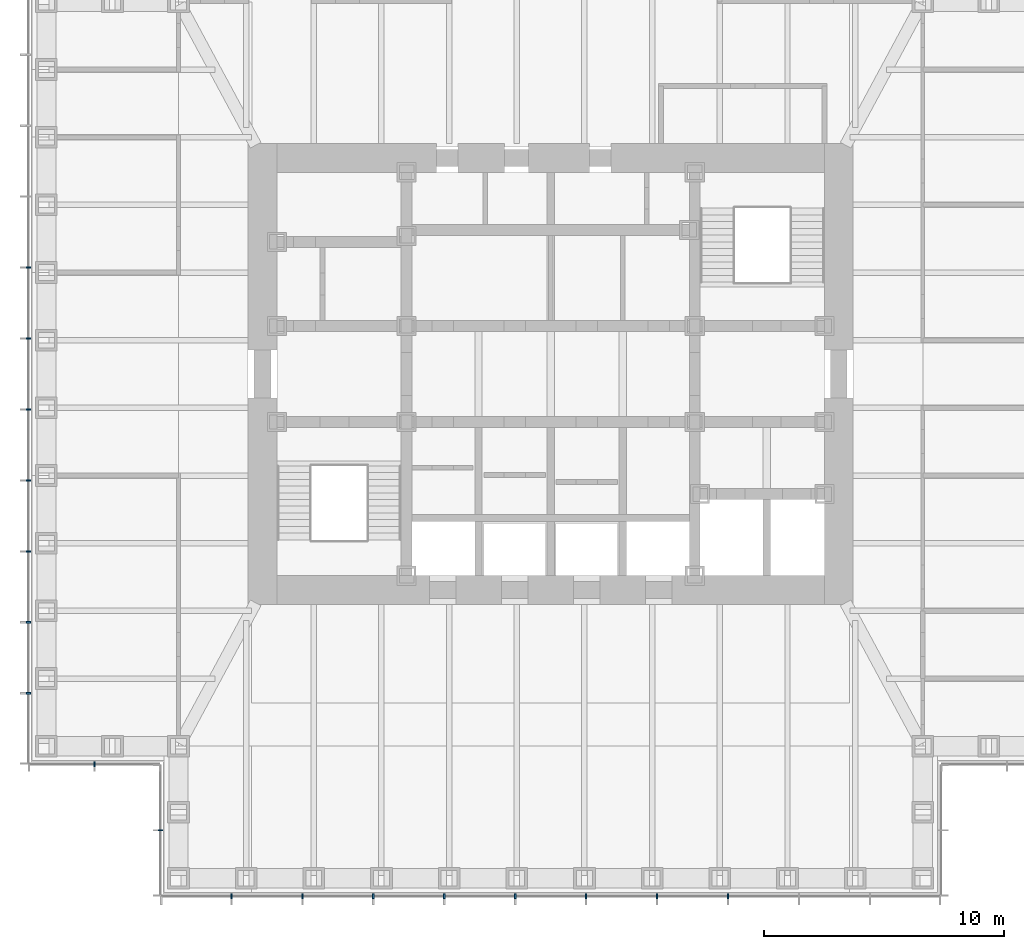
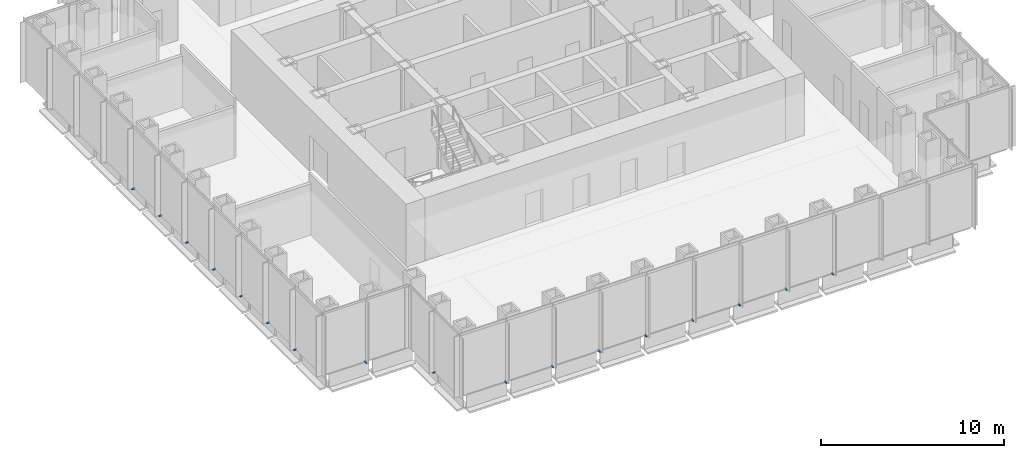
# One storey, part 11 of 16: 17 discrete accessories.
"""IFC4 building model written with IfcOpenShell, lengths in metres."""

import ifcopenshell
import ifcopenshell.guid

model = None  # the IFC model being written
_history = None  # IfcOwnerHistory: only IFC2X3 demands one
_inside = {}  # id of a spatial element -> (the spatial element, [elements in it])
_under = {}  # id of a project, library or spatial element -> (it, [spatial elements below it])
_declared = {}  # id of a project -> (the project, [libraries it declares])
_typed = {}  # id of a type object -> (the type object, [elements of that type])
_made_of = {}  # id of a material, layer set ... -> (it, [elements and type objects made of it])


def new_model(schema):
    """Start an empty IFC model of exactly this schema.

    Asked for "IFC4X3", IfcOpenShell would pick the latest addendum, in which some entities
    have other attributes; the version numbers below select the first issue.
    IFC2X3 requires an IfcOwnerHistory on every rooted entity: one is made here for all.
    """
    global model, _history
    if schema == "IFC4X3":
        model = ifcopenshell.file(schema_version=(4, 3, 0, 0))
    else:
        model = ifcopenshell.file(schema=schema)
    _inside.clear()
    _under.clear()
    _declared.clear()
    _typed.clear()
    _made_of.clear()
    _history = None
    if model.schema == "IFC2X3":
        org = make("IfcOrganization", Name="unknown")
        user = make(
            "IfcPersonAndOrganization",
            ThePerson=make("IfcPerson", FamilyName="unknown"),
            TheOrganization=org,
        )
        app = make(
            "IfcApplication",
            ApplicationDeveloper=org,
            Version="unknown",
            ApplicationFullName="unknown",
            ApplicationIdentifier="unknown",
        )
        _history = make(
            "IfcOwnerHistory",
            OwningUser=user,
            OwningApplication=app,
            ChangeAction="ADDED",
            CreationDate=0,
        )
    return model


def make(cls, **values):
    """One entity of the class cls with the attributes given. An attribute that is None is left unset."""
    return model.create_entity(
        cls, **{name: value for name, value in values.items() if value is not None}
    )


def rooted(cls, **values):
    """An entity with a GlobalId (a new one), such as an element, a storey or a relation."""
    return make(cls, GlobalId=ifcopenshell.guid.new(), OwnerHistory=_history, **values)


def si_unit(unit_type, name, prefix=None):
    """IfcSIUnit, for example si_unit("LENGTHUNIT", "METRE", prefix="MILLI")."""
    return make("IfcSIUnit", UnitType=unit_type, Prefix=prefix, Name=name)


def assignment(units):
    """IfcUnitAssignment: the units of a project."""
    return None if units is None else make("IfcUnitAssignment", Units=units)


def point(xyz):
    """IfcCartesianPoint."""
    return None if xyz is None else make("IfcCartesianPoint", Coordinates=xyz)


def direction(xyz):
    """IfcDirection."""
    return None if xyz is None else make("IfcDirection", DirectionRatios=xyz)


def frame(location, z_axis=None, x_axis=None):
    """IfcAxis2Placement3D, a coordinate frame: its origin and axes. An axis left out is left unset."""
    return make(
        "IfcAxis2Placement3D",
        Location=point(location),
        Axis=direction(z_axis),
        RefDirection=direction(x_axis),
    )


def frame_2d(location, x_axis=None):
    """IfcAxis2Placement2D, a coordinate frame in the plane: its origin and x axis."""
    return make(
        "IfcAxis2Placement2D", Location=point(location), RefDirection=direction(x_axis)
    )


def origin():
    """The frame at (0, 0, 0) with its axes left unset."""
    return frame((0.0, 0.0, 0.0))


def origin_2d():
    """The frame at (0, 0) in the plane with its x axis left unset."""
    return frame_2d((0.0, 0.0))


def place(relative_to, where):
    """IfcLocalPlacement: puts the frame where relative to a parent placement (None: the world)."""
    return make(
        "IfcLocalPlacement", PlacementRelTo=relative_to, RelativePlacement=where
    )


def context(
    kind, dimensions, precision=None, world=None, true_north=None, identifier=None
):
    """IfcGeometricRepresentationContext, for example the 3D "Model" context."""
    return make(
        "IfcGeometricRepresentationContext",
        ContextIdentifier=identifier,
        ContextType=kind,
        CoordinateSpaceDimension=dimensions,
        Precision=precision,
        WorldCoordinateSystem=world,
        TrueNorth=true_north,
    )


def subcontext(parent, identifier, kind, view, scale=None):
    """IfcGeometricRepresentationSubContext, for example "Body" below "Model"."""
    return make(
        "IfcGeometricRepresentationSubContext",
        ContextIdentifier=identifier,
        ContextType=kind,
        ParentContext=parent,
        TargetScale=scale,
        TargetView=view,
    )


def project(units=None, contexts=None):
    """IfcProject with its units and contexts."""
    return rooted(
        "IfcProject",
        Name="project",
        RepresentationContexts=contexts,
        UnitsInContext=assignment(units),
    )


def spatial(cls, under=None, at=None, **own):
    """A site, building, storey or space (cls), placed at a placement, below another one or the project."""
    s = rooted(cls, ObjectPlacement=at, **own)
    if under is not None:
        _under.setdefault(under.id(), (under, []))[1].append(s)
    return s


def profile(cls, at=None, kind="AREA", **sizes):
    """A parametric profile (cls). Its sizes go by their IFC names, for example OverallWidth=200.0."""
    return make(cls, ProfileType=kind, Position=at, **sizes)


def rectangle(**sizes):
    """IfcRectangleProfileDef."""
    return profile("IfcRectangleProfileDef", **sizes)


def extrude(swept, where, along, depth):
    """IfcExtrudedAreaSolid: the profile swept, set in the frame where, extruded along a direction by depth."""
    return make(
        "IfcExtrudedAreaSolid",
        SweptArea=swept,
        Position=where,
        ExtrudedDirection=direction(along),
        Depth=depth,
    )


def shape(context_of_items, identifier, shape_type, items):
    """IfcShapeRepresentation: the items that make up one representation, for example the "Body"."""
    return make(
        "IfcShapeRepresentation",
        ContextOfItems=context_of_items,
        RepresentationIdentifier=identifier,
        RepresentationType=shape_type,
        Items=items,
    )


def made_of(thing, what):
    """Note that an element or type object is made of a material, layer set ...; save() writes the relation."""
    if what is not None:
        _made_of.setdefault(what.id(), (what, []))[1].append(thing)
    return thing


def element(
    cls,
    number,
    at=None,
    inside=None,
    cuts=None,
    type_object=None,
    material=None,
    context=None,
    identifier="Body",
    shape_type=None,
    held_by="IfcProductDefinitionShape",
    body=None,
    shapes=None,
    **own,
):
    """One element of the class cls, such as IfcWall. Its Tag is "e" and its number.

    at: its placement. inside: the storey or other place that contains it. cuts: it is an
    opening in that element (IfcRelVoidsElement). A single representation is given by context,
    identifier, shape_type and body (its items); several are given by shapes. held_by: the class
    of the entity that holds the representations. save() writes the other relations.
    """
    e = rooted(cls, Tag="e%d" % number, ObjectPlacement=at, **own)
    if body is not None:
        shapes = [shape(context, identifier, shape_type, body)]
    if shapes is not None:
        e.Representation = make(held_by, Representations=shapes)
    if inside is not None:
        _inside.setdefault(inside.id(), (inside, []))[1].append(e)
    if cuts is not None:
        rooted(
            "IfcRelVoidsElement", RelatingBuildingElement=cuts, RelatedOpeningElement=e
        )
    if type_object is not None:
        _typed.setdefault(type_object.id(), (type_object, []))[1].append(e)
    return made_of(e, material)


def aggregate(whole, parts):
    """IfcRelAggregates: a whole, such as a stair, and the parts it consists of."""
    return rooted("IfcRelAggregates", RelatingObject=whole, RelatedObjects=parts)


def save(model, path):
    """Write the relations noted so far, then the file.

    IfcRelAggregates (storeys below a building ...), IfcRelContainedInSpatialStructure (elements
    in a storey), IfcRelDefinesByType, IfcRelAssociatesMaterial and IfcRelDeclares: one each for
    every whole, place, type object, material and project.
    """
    for whole, parts in _under.values():
        aggregate(whole, parts)
    for where, things in _inside.values():
        rooted(
            "IfcRelContainedInSpatialStructure",
            RelatedElements=things,
            RelatingStructure=where,
        )
    for kind, things in _typed.values():
        rooted("IfcRelDefinesByType", RelatedObjects=things, RelatingType=kind)
    for what, things in _made_of.values():
        rooted("IfcRelAssociatesMaterial", RelatedObjects=things, RelatingMaterial=what)
    for by, libraries in _declared.values():
        rooted("IfcRelDeclares", RelatingContext=by, RelatedDefinitions=libraries)
    model.write(path)


model = new_model("IFC4")

# Units and contexts
model_context = context("Model", 3, precision=1e-05, world=origin(), true_north=direction((0.0, 1.0)))
body_context = subcontext(model_context, "Body", "Model", "MODEL_VIEW")
ifc_project = project(units=[si_unit("LENGTHUNIT", "METRE"), si_unit("AREAUNIT", "SQUARE_METRE"), si_unit("VOLUMEUNIT", "CUBIC_METRE"), si_unit("PLANEANGLEUNIT", "RADIAN"), si_unit("MASSUNIT", "GRAM", prefix="KILO")], contexts=[model_context])

# Site, building, storey
site_placement = place(None, origin())
site = spatial("IfcSite", under=ifc_project, at=site_placement, CompositionType="ELEMENT")
building_placement = place(site_placement, origin())
building = spatial("IfcBuilding", under=site, at=building_placement, Name="Daluyong Arena Tower", CompositionType="ELEMENT")
storey_placement = place(building_placement, frame((0.0, 0.0, 206.5)))
storey = spatial("IfcBuildingStorey", under=building, at=storey_placement, Name="L46", CompositionType="ELEMENT", Elevation=206.5)

# Discrete accessories
for number, where, z_axis, x_axis, name in (
    (1, (42.70458984375, 58.25, -0.10009765625), (0.0, 0.0, 1.0), (1.0, 0.0, 0.0), "curtain wall L46 S anchor bracket 2"),
    (2, (45.6591796875, 58.25, -0.10009765625), (0.0, 0.0, 1.0), (1.0, 0.0, 0.0), "curtain wall L46 S anchor bracket 3"),
    (3, (48.613525390625, 58.25, -0.10009765625), (0.0, 0.0, 1.0), (1.0, 0.0, 0.0), "curtain wall L46 S anchor bracket 4"),
    (4, (51.568115234375, 58.25, -0.10009765625), (0.0, 0.0, 1.0), (1.0, 0.0, 0.0), "curtain wall L46 S anchor bracket 5"),
    (5, (54.522705078125, 58.25, -0.10009765625), (0.0, 0.0, 1.0), (1.0, 0.0, 0.0), "curtain wall L46 S anchor bracket 6"),
    (6, (57.477294921875, 58.25, -0.10009765625), (0.0, 0.0, 1.0), (1.0, 0.0, 0.0), "curtain wall L46 S anchor bracket 7"),
    (7, (60.431884765625, 58.25, -0.10009765625), (0.0, 0.0, 1.0), (1.0, 0.0, 0.0), "curtain wall L46 S anchor bracket 8"),
    (8, (63.386474609375, 58.25, -0.10009765625), (0.0, 0.0, 1.0), (1.0, 0.0, 0.0), "curtain wall L46 S anchor bracket 9"),
    (9, (34.25, 84.431884765625, -0.10009765625), (0.0, 0.0, 1.0), (0.0, -1.0, 0.0), "curtain wall L46 W anchor bracket 5"),
    (10, (34.25, 81.477294921875, -0.10009765625), (0.0, 0.0, 1.0), (0.0, -1.0, 0.0), "curtain wall L46 W anchor bracket 6"),
    (11, (34.25, 78.522705078125, -0.10009765625), (0.0, 0.0, 1.0), (0.0, -1.0, 0.0), "curtain wall L46 W anchor bracket 7"),
    (12, (34.25, 75.568115234375, -0.10009765625), (0.0, 0.0, 1.0), (0.0, -1.0, 0.0), "curtain wall L46 W anchor bracket 8"),
    (13, (34.25, 72.613525390625, -0.10009765625), (0.0, 0.0, 1.0), (0.0, -1.0, 0.0), "curtain wall L46 W anchor bracket 9"),
    (14, (34.25, 69.6591796875, -0.10009765625), (0.0, 0.0, 1.0), (0.0, -1.0, 0.0), "curtain wall L46 W anchor bracket 10"),
    (15, (34.25, 66.70458984375, -0.10009765625), (0.0, 0.0, 1.0), (0.0, -1.0, 0.0), "curtain wall L46 W anchor bracket 11"),
):
    element("IfcDiscreteAccessory", number, at=place(storey_placement, frame(where, z_axis=z_axis, x_axis=x_axis)), inside=storey, Name=name, PredefinedType="BRACKET", context=body_context, shape_type="SweptSolid", body=[
        extrude(rectangle(XDim=0.070068359375, YDim=0.199951171875, at=origin_2d()), origin(), (0.0, 0.0, 1.0), 0.10009765625),
    ])
for number, where, z_axis, x_axis, name in (
    (16, (37.0, 63.75, -0.10009765625), (0.0, 0.0, 1.0), (1.0, 0.0, 0.0), "curtain wall L46 SW-S anchor bracket 2"),
    (17, (39.75, 61.0, -0.10009765625), (0.0, 0.0, 1.0), (0.0, -1.0, 0.0), "curtain wall L46 SW-W anchor bracket 2"),
):
    element("IfcDiscreteAccessory", number, at=place(storey_placement, frame(where, z_axis=z_axis, x_axis=x_axis)), inside=storey, Name=name, PredefinedType="BRACKET", context=body_context, shape_type="SweptSolid", body=[
        extrude(rectangle(XDim=0.06005859375, YDim=0.199951171875, at=origin_2d()), origin(), (0.0, 0.0, 1.0), 0.10009765625),
    ])

save(model, "model.ifc")
